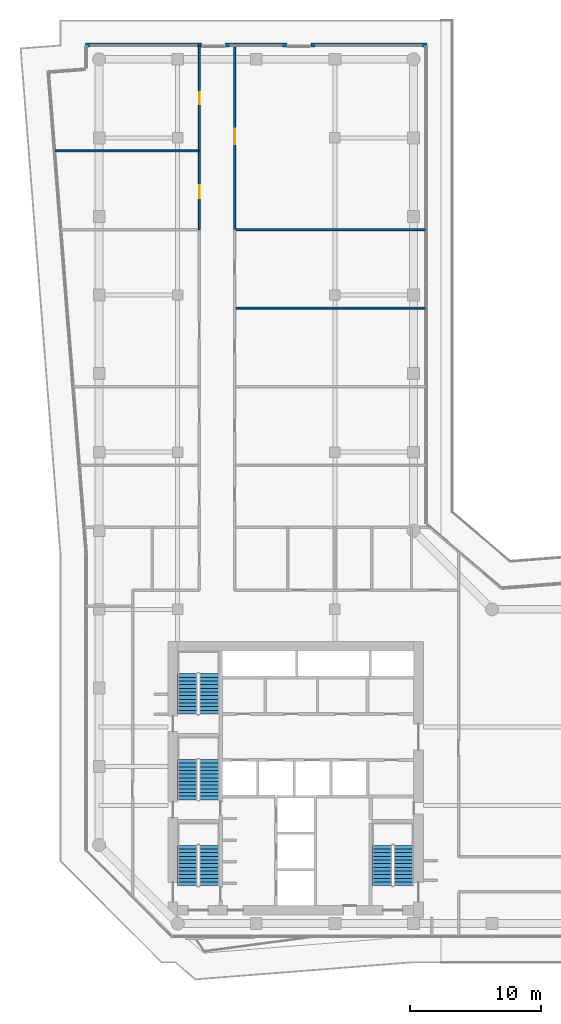
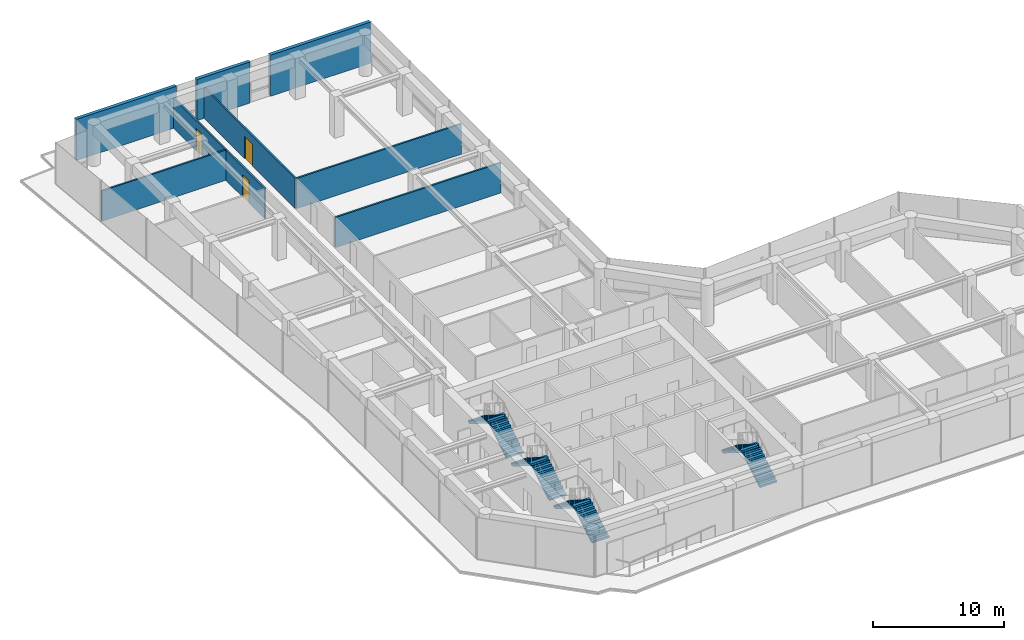
# One storey, part 23 of 25: 9 walls, 8 stair flights, 3 doors, 3 openings, 4 elements without a shape of their own.
"""IFC4 building model written with IfcOpenShell, lengths in metres."""

import ifcopenshell
import ifcopenshell.guid

model = None  # the IFC model being written
_history = None  # IfcOwnerHistory: only IFC2X3 demands one
_inside = {}  # id of a spatial element -> (the spatial element, [elements in it])
_under = {}  # id of a project, library or spatial element -> (it, [spatial elements below it])
_declared = {}  # id of a project -> (the project, [libraries it declares])
_typed = {}  # id of a type object -> (the type object, [elements of that type])
_made_of = {}  # id of a material, layer set ... -> (it, [elements and type objects made of it])


def new_model(schema):
    """Start an empty IFC model of exactly this schema.

    Asked for "IFC4X3", IfcOpenShell would pick the latest addendum, in which some entities
    have other attributes; the version numbers below select the first issue.
    IFC2X3 requires an IfcOwnerHistory on every rooted entity: one is made here for all.
    """
    global model, _history
    if schema == "IFC4X3":
        model = ifcopenshell.file(schema_version=(4, 3, 0, 0))
    else:
        model = ifcopenshell.file(schema=schema)
    _inside.clear()
    _under.clear()
    _declared.clear()
    _typed.clear()
    _made_of.clear()
    _history = None
    if model.schema == "IFC2X3":
        org = make("IfcOrganization", Name="unknown")
        user = make(
            "IfcPersonAndOrganization",
            ThePerson=make("IfcPerson", FamilyName="unknown"),
            TheOrganization=org,
        )
        app = make(
            "IfcApplication",
            ApplicationDeveloper=org,
            Version="unknown",
            ApplicationFullName="unknown",
            ApplicationIdentifier="unknown",
        )
        _history = make(
            "IfcOwnerHistory",
            OwningUser=user,
            OwningApplication=app,
            ChangeAction="ADDED",
            CreationDate=0,
        )
    return model


def make(cls, **values):
    """One entity of the class cls with the attributes given. An attribute that is None is left unset."""
    return model.create_entity(
        cls, **{name: value for name, value in values.items() if value is not None}
    )


def rooted(cls, **values):
    """An entity with a GlobalId (a new one), such as an element, a storey or a relation."""
    return make(cls, GlobalId=ifcopenshell.guid.new(), OwnerHistory=_history, **values)


def si_unit(unit_type, name, prefix=None):
    """IfcSIUnit, for example si_unit("LENGTHUNIT", "METRE", prefix="MILLI")."""
    return make("IfcSIUnit", UnitType=unit_type, Prefix=prefix, Name=name)


def assignment(units):
    """IfcUnitAssignment: the units of a project."""
    return None if units is None else make("IfcUnitAssignment", Units=units)


def point(xyz):
    """IfcCartesianPoint."""
    return None if xyz is None else make("IfcCartesianPoint", Coordinates=xyz)


def direction(xyz):
    """IfcDirection."""
    return None if xyz is None else make("IfcDirection", DirectionRatios=xyz)


def frame(location, z_axis=None, x_axis=None):
    """IfcAxis2Placement3D, a coordinate frame: its origin and axes. An axis left out is left unset."""
    return make(
        "IfcAxis2Placement3D",
        Location=point(location),
        Axis=direction(z_axis),
        RefDirection=direction(x_axis),
    )


def frame_2d(location, x_axis=None):
    """IfcAxis2Placement2D, a coordinate frame in the plane: its origin and x axis."""
    return make(
        "IfcAxis2Placement2D", Location=point(location), RefDirection=direction(x_axis)
    )


def origin():
    """The frame at (0, 0, 0) with its axes left unset."""
    return frame((0.0, 0.0, 0.0))


def place(relative_to, where):
    """IfcLocalPlacement: puts the frame where relative to a parent placement (None: the world)."""
    return make(
        "IfcLocalPlacement", PlacementRelTo=relative_to, RelativePlacement=where
    )


def context(
    kind, dimensions, precision=None, world=None, true_north=None, identifier=None
):
    """IfcGeometricRepresentationContext, for example the 3D "Model" context."""
    return make(
        "IfcGeometricRepresentationContext",
        ContextIdentifier=identifier,
        ContextType=kind,
        CoordinateSpaceDimension=dimensions,
        Precision=precision,
        WorldCoordinateSystem=world,
        TrueNorth=true_north,
    )


def subcontext(parent, identifier, kind, view, scale=None):
    """IfcGeometricRepresentationSubContext, for example "Body" below "Model"."""
    return make(
        "IfcGeometricRepresentationSubContext",
        ContextIdentifier=identifier,
        ContextType=kind,
        ParentContext=parent,
        TargetScale=scale,
        TargetView=view,
    )


def project(units=None, contexts=None):
    """IfcProject with its units and contexts."""
    return rooted(
        "IfcProject",
        Name="project",
        RepresentationContexts=contexts,
        UnitsInContext=assignment(units),
    )


def spatial(cls, under=None, at=None, **own):
    """A site, building, storey or space (cls), placed at a placement, below another one or the project."""
    s = rooted(cls, ObjectPlacement=at, **own)
    if under is not None:
        _under.setdefault(under.id(), (under, []))[1].append(s)
    return s


def polyline(points):
    """IfcPolyline through the points."""
    return make("IfcPolyline", Points=[point(p) for p in points])


def profile(cls, at=None, kind="AREA", **sizes):
    """A parametric profile (cls). Its sizes go by their IFC names, for example OverallWidth=200.0."""
    return make(cls, ProfileType=kind, Position=at, **sizes)


def rectangle(**sizes):
    """IfcRectangleProfileDef."""
    return profile("IfcRectangleProfileDef", **sizes)


def outline(outer, holes=None, kind="AREA"):
    """IfcArbitraryClosedProfileDef: a profile drawn as a closed curve; with holes, ...WithVoids."""
    if holes is None:
        return make("IfcArbitraryClosedProfileDef", ProfileType=kind, OuterCurve=outer)
    return make(
        "IfcArbitraryProfileDefWithVoids",
        ProfileType=kind,
        OuterCurve=outer,
        InnerCurves=holes,
    )


def extrude(swept, where, along, depth):
    """IfcExtrudedAreaSolid: the profile swept, set in the frame where, extruded along a direction by depth."""
    return make(
        "IfcExtrudedAreaSolid",
        SweptArea=swept,
        Position=where,
        ExtrudedDirection=direction(along),
        Depth=depth,
    )


def shape(context_of_items, identifier, shape_type, items):
    """IfcShapeRepresentation: the items that make up one representation, for example the "Body"."""
    return make(
        "IfcShapeRepresentation",
        ContextOfItems=context_of_items,
        RepresentationIdentifier=identifier,
        RepresentationType=shape_type,
        Items=items,
    )


def material(Name=None, Category=None):
    """IfcMaterial."""
    return make("IfcMaterial", Name=Name, Category=Category)


def layer(
    of_material, thickness, ventilated=None, Name=None, Category=None, Priority=None
):
    """IfcMaterialLayer: one layer of a wall or slab, of a material (None: an air gap)."""
    return make(
        "IfcMaterialLayer",
        Material=of_material,
        LayerThickness=thickness,
        IsVentilated=ventilated,
        Name=Name,
        Category=Category,
        Priority=Priority,
    )


def layer_set(layers, Name=None):
    """IfcMaterialLayerSet."""
    return make("IfcMaterialLayerSet", MaterialLayers=layers, LayerSetName=Name)


def made_of(thing, what):
    """Note that an element or type object is made of a material, layer set ...; save() writes the relation."""
    if what is not None:
        _made_of.setdefault(what.id(), (what, []))[1].append(thing)
    return thing


def type_object(cls, material=None, **own):
    """A type object (cls), such as IfcWallType, which elements share."""
    return made_of(rooted(cls, **own), material)


def element(
    cls,
    number,
    at=None,
    inside=None,
    cuts=None,
    type_object=None,
    material=None,
    context=None,
    identifier="Body",
    shape_type=None,
    held_by="IfcProductDefinitionShape",
    body=None,
    shapes=None,
    **own,
):
    """One element of the class cls, such as IfcWall. Its Tag is "e" and its number.

    at: its placement. inside: the storey or other place that contains it. cuts: it is an
    opening in that element (IfcRelVoidsElement). A single representation is given by context,
    identifier, shape_type and body (its items); several are given by shapes. held_by: the class
    of the entity that holds the representations. save() writes the other relations.
    """
    e = rooted(cls, Tag="e%d" % number, ObjectPlacement=at, **own)
    if body is not None:
        shapes = [shape(context, identifier, shape_type, body)]
    if shapes is not None:
        e.Representation = make(held_by, Representations=shapes)
    if inside is not None:
        _inside.setdefault(inside.id(), (inside, []))[1].append(e)
    if cuts is not None:
        rooted(
            "IfcRelVoidsElement", RelatingBuildingElement=cuts, RelatedOpeningElement=e
        )
    if type_object is not None:
        _typed.setdefault(type_object.id(), (type_object, []))[1].append(e)
    return made_of(e, material)


def fill(opening, filler):
    """IfcRelFillsElement: the door or window that sits in an opening."""
    return rooted(
        "IfcRelFillsElement",
        RelatingOpeningElement=opening,
        RelatedBuildingElement=filler,
    )


def aggregate(whole, parts):
    """IfcRelAggregates: a whole, such as a stair, and the parts it consists of."""
    return rooted("IfcRelAggregates", RelatingObject=whole, RelatedObjects=parts)


def save(model, path):
    """Write the relations noted so far, then the file.

    IfcRelAggregates (storeys below a building ...), IfcRelContainedInSpatialStructure (elements
    in a storey), IfcRelDefinesByType, IfcRelAssociatesMaterial and IfcRelDeclares: one each for
    every whole, place, type object, material and project.
    """
    for whole, parts in _under.values():
        aggregate(whole, parts)
    for where, things in _inside.values():
        rooted(
            "IfcRelContainedInSpatialStructure",
            RelatedElements=things,
            RelatingStructure=where,
        )
    for kind, things in _typed.values():
        rooted("IfcRelDefinesByType", RelatedObjects=things, RelatingType=kind)
    for what, things in _made_of.values():
        rooted("IfcRelAssociatesMaterial", RelatedObjects=things, RelatingMaterial=what)
    for by, libraries in _declared.values():
        rooted("IfcRelDeclares", RelatingContext=by, RelatedDefinitions=libraries)
    model.write(path)


model = new_model("IFC4")

# Units and contexts
model_context = context("Model", 3, precision=1e-05, world=origin(), true_north=direction((0.0, 1.0)))
body_context = subcontext(model_context, "Body", "Model", "MODEL_VIEW")
ifc_project = project(units=[si_unit("LENGTHUNIT", "METRE"), si_unit("AREAUNIT", "SQUARE_METRE"), si_unit("VOLUMEUNIT", "CUBIC_METRE"), si_unit("PLANEANGLEUNIT", "RADIAN"), si_unit("MASSUNIT", "GRAM", prefix="KILO")], contexts=[model_context])

# Site, building, storey
site_placement = place(None, origin())
site = spatial("IfcSite", under=ifc_project, at=site_placement, CompositionType="ELEMENT")
building_placement = place(site_placement, origin())
building = spatial("IfcBuilding", under=site, at=building_placement, Name="Welwitschia Terrace Campus", CompositionType="ELEMENT")
storey_placement = place(building_placement, frame((0.0, 0.0, 92.0)))
storey = spatial("IfcBuildingStorey", under=building, at=storey_placement, Name="L20", CompositionType="ELEMENT", Elevation=92.0)

# Wall
ifc_material_1 = material(Name="Gypsum board on steel studs", Category="steel")
ifc_layer_1 = layer(ifc_material_1, 0.14990234375)
ifc_layer_set_1 = layer_set([ifc_layer_1], Name="Gypsum board on steel studs")
wall_type_1 = type_object("IfcWallType", Name="Corridor partition 150 EI 30", PredefinedType="PARTITIONING", material=ifc_layer_set_1)
wall_1_placement = place(storey_placement, frame((-3.37890625, 63.0, 0.0), z_axis=(0.0, 0.0, 1.0), x_axis=(1.0, 0.0, 0.0)))
element("IfcWall", 1, at=wall_1_placement, inside=storey, type_object=wall_type_1, Name="Partition", PredefinedType="PARTITIONING", context=body_context, shape_type="SweptSolid", body=[
    extrude(rectangle(XDim=11.02880859375, YDim=0.14990234375, at=frame_2d((5.514404296875, 0.0))), origin(), (0.0, 0.0, 1.0), 2.830078125),
])

# Wall, opening, door
wall_2_placement = place(storey_placement, frame((7.64990234375, 57.0, 0.0), z_axis=(0.0, 0.0, 1.0), x_axis=(0.0, 1.0, 0.0)))
wall_2 = element("IfcWall", 2, at=wall_2_placement, inside=storey, type_object=wall_type_1, Name="Partition", PredefinedType="PARTITIONING", context=body_context, shape_type="SweptSolid", body=[
    extrude(rectangle(XDim=6.0, YDim=0.14990234375, at=frame_2d((3.0, 0.0))), origin(), (0.0, 0.0, 1.0), 2.830078125),
])
opening_1_placement = place(wall_2_placement, frame((2.39990234375, 0.0, 0.0)))
opening_1 = element("IfcOpeningElement", 3, at=opening_1_placement, cuts=wall_2, Name="Opening DI10", PredefinedType="OPENING", context=body_context, shape_type="SweptSolid", body=[
    extrude(rectangle(XDim=1.0, YDim=2.10009765625, at=frame_2d((0.5, 1.050048828125))), frame((0.0, 0.0849609375, 0.0), z_axis=(0.0, -1.0, 0.0), x_axis=(1.0, 0.0, 0.0)), (0.0, 0.0, 1.0), 0.169921875),
])
ifc_material_2 = material(Name="Timber veneered door", Category="wood")
door_type_1 = type_object("IfcDoorType", Name="Interior door DI10", OperationType="NOTDEFINED", PredefinedType="DOOR", material=ifc_material_2)
door_1_placement = place(opening_1_placement, origin())
door_1 = element("IfcDoor", 4, at=door_1_placement, inside=storey, type_object=door_type_1, Name="Door L20 444", OperationType="SINGLE_SWING_LEFT", OverallHeight=2.10009765625, OverallWidth=1.0, PredefinedType="DOOR", context=body_context, shape_type="SweptSolid", body=[
    extrude(rectangle(XDim=1.0, YDim=2.10009765625, at=frame_2d((0.5, 1.050048828125))), frame((0.0, 0.02490234375, 0.0), z_axis=(0.0, -1.0, 0.0), x_axis=(1.0, 0.0, 0.0)), (0.0, 0.0, 1.0), 0.050048828125),
])
fill(opening_1, door_1)

wall_3_placement = place(storey_placement, frame((7.64990234375, 63.0, 0.0), z_axis=(0.0, 0.0, 1.0), x_axis=(0.0, 1.0, 0.0)))
wall_3 = element("IfcWall", 5, at=wall_3_placement, inside=storey, type_object=wall_type_1, Name="Partition", PredefinedType="PARTITIONING", context=body_context, shape_type="SweptSolid", body=[
    extrude(rectangle(XDim=8.090087890625, YDim=0.14990234375, at=frame_2d((4.044921875, 0.0))), origin(), (0.0, 0.0, 1.0), 2.830078125),
])
opening_2_placement = place(wall_3_placement, frame((3.580078125, 0.0, 0.0)))
opening_2 = element("IfcOpeningElement", 6, at=opening_2_placement, cuts=wall_3, Name="Opening DI09", PredefinedType="OPENING", context=body_context, shape_type="SweptSolid", body=[
    extrude(rectangle(XDim=0.89990234375, YDim=2.10009765625, at=frame_2d((0.449951171875, 1.050048828125))), frame((0.0, 0.0849609375, 0.0), z_axis=(0.0, -1.0, 0.0), x_axis=(1.0, 0.0, 0.0)), (0.0, 0.0, 1.0), 0.169921875),
])
ifc_material_3 = material(Name="Timber veneered door", Category="wood")
door_type_2 = type_object("IfcDoorType", Name="Interior door DI09", OperationType="NOTDEFINED", PredefinedType="DOOR", material=ifc_material_3)
door_2_placement = place(opening_2_placement, origin())
door_2 = element("IfcDoor", 7, at=door_2_placement, inside=storey, type_object=door_type_2, Name="Door L20 445", OperationType="SINGLE_SWING_RIGHT", OverallHeight=2.10009765625, OverallWidth=0.89990234375, PredefinedType="DOOR", context=body_context, shape_type="SweptSolid", body=[
    extrude(rectangle(XDim=0.89990234375, YDim=2.10009765625, at=frame_2d((0.449951171875, 1.050048828125))), frame((0.0, 0.02490234375, 0.0), z_axis=(0.0, -1.0, 0.0), x_axis=(1.0, 0.0, 0.0)), (0.0, 0.0, 1.0), 0.050048828125),
])
fill(opening_2, door_2)

# Walls
for number, where, z_axis, x_axis, name in (
    (8, (10.35009765625, 51.0, 0.0), (0.0, 0.0, 1.0), (1.0, 0.0, 0.0), "Partition"),
    (9, (10.35009765625, 57.0, 0.0), (0.0, 0.0, 1.0), (1.0, 0.0, 0.0), "Partition"),
):
    element("IfcWall", number, at=place(storey_placement, frame(where, z_axis=z_axis, x_axis=x_axis)), inside=storey, type_object=wall_type_1, Name=name, PredefinedType="PARTITIONING", context=body_context, shape_type="SweptSolid", body=[
        extrude(rectangle(XDim=14.6298828125, YDim=0.14990234375, at=frame_2d((7.31494140625, 0.0))), origin(), (0.0, 0.0, 1.0), 2.830078125),
    ])

# Wall, opening, door
wall_4_placement = place(storey_placement, frame((10.35009765625, 71.090087890625, 0.0), z_axis=(0.0, 0.0, 1.0), x_axis=(0.0, -1.0, 0.0)))
wall_4 = element("IfcWall", 10, at=wall_4_placement, inside=storey, type_object=wall_type_1, Name="Partition", PredefinedType="PARTITIONING", context=body_context, shape_type="SweptSolid", body=[
    extrude(rectangle(XDim=14.090087890625, YDim=0.14990234375, at=frame_2d((7.044921875, 0.0))), origin(), (0.0, 0.0, 1.0), 2.830078125),
])
opening_3_placement = place(wall_4_placement, frame((6.389892578125, 0.0, 0.0)))
opening_3 = element("IfcOpeningElement", 11, at=opening_3_placement, cuts=wall_4, Name="Opening DI12", PredefinedType="OPENING", context=body_context, shape_type="SweptSolid", body=[
    extrude(rectangle(XDim=1.199951171875, YDim=2.10009765625, at=frame_2d((0.60009765625, 1.050048828125))), frame((0.0, 0.0849609375, 0.0), z_axis=(0.0, -1.0, 0.0), x_axis=(1.0, 0.0, 0.0)), (0.0, 0.0, 1.0), 0.169921875),
])
ifc_material_4 = material(Name="Timber veneered door", Category="wood")
door_type_3 = type_object("IfcDoorType", Name="Interior door DI12", OperationType="NOTDEFINED", PredefinedType="DOOR", material=ifc_material_4)
door_3_placement = place(opening_3_placement, origin())
door_3 = element("IfcDoor", 12, at=door_3_placement, inside=storey, type_object=door_type_3, Name="Door L20 450", OperationType="SINGLE_SWING_LEFT", OverallHeight=2.10009765625, OverallWidth=1.199951171875, PredefinedType="DOOR", context=body_context, shape_type="SweptSolid", body=[
    extrude(rectangle(XDim=1.199951171875, YDim=2.10009765625, at=frame_2d((0.60009765625, 1.050048828125))), frame((0.0, 0.02490234375, 0.0), z_axis=(0.0, -1.0, 0.0), x_axis=(1.0, 0.0, 0.0)), (0.0, 0.0, 1.0), 0.050048828125),
])
fill(opening_3, door_3)

# Walls
ifc_material_5 = material(Name="Concrete C40/50", Category="concrete")
ifc_layer_2 = layer(ifc_material_5, 0.300048828125)
ifc_layer_set_2 = layer_set([ifc_layer_2], Name="Concrete C40/50")
wall_type_2 = type_object("IfcWallType", Name="Mass wall 300", PredefinedType="SOLIDWALL", material=ifc_layer_set_2)
wall_5_placement = place(storey_placement, frame((25.030029296875, 71.078125, 0.0), z_axis=(0.0, 0.0, 1.0), x_axis=(-1.0, 0.0, 0.0)))
element("IfcWall", 13, at=wall_5_placement, inside=storey, type_object=wall_type_2, Name="Mass wall L20.11.0", PredefinedType="SOLIDWALL", context=body_context, shape_type="SweptSolid", body=[
    extrude(rectangle(XDim=8.87255859375, YDim=0.300048828125, at=frame_2d((4.436279296875, 0.0))), origin(), (0.0, 0.0, 1.0), 3.85009765625),
])
wall_6_placement = place(storey_placement, frame((14.357421875, 71.080078125, 0.0), z_axis=(0.0, 0.0, 1.0), x_axis=(-1.0, 0.0, 0.0)))
element("IfcWall", 14, at=wall_6_placement, inside=storey, type_object=wall_type_2, Name="Mass wall L20.11.1", PredefinedType="SOLIDWALL", context=body_context, shape_type="SweptSolid", body=[
    extrude(rectangle(XDim=4.71484375, YDim=0.300048828125, at=frame_2d((2.357421875, 0.0))), origin(), (0.0, 0.0, 1.0), 3.85009765625),
])
wall_7_placement = place(storey_placement, frame((7.842529296875, 71.078125, 0.0), z_axis=(0.0, 0.0, 1.0), x_axis=(-1.0, 0.0, 0.0)))
element("IfcWall", 15, at=wall_7_placement, inside=storey, type_object=wall_type_2, Name="Mass wall L20.11.2", PredefinedType="SOLIDWALL", context=body_context, shape_type="SweptSolid", body=[
    extrude(rectangle(XDim=8.87255859375, YDim=0.300048828125, at=frame_2d((4.436279296875, 0.0))), origin(), (0.0, 0.0, 1.0), 3.85009765625),
])

# Stair, stair flights
ifc_material_6 = material(Name="Concrete C40/50", Category="concrete")
stair_type = type_object("IfcStairType", Name="Stair 24R 175 W1500", PredefinedType="HALF_TURN_STAIR", material=ifc_material_6)
stair_1_placement = place(storey_placement, origin())
stair_1 = element("IfcStair", 16, at=stair_1_placement, inside=storey, type_object=stair_type, Name="L20 Exit stair S1", PredefinedType="HALF_TURN_STAIR")
ifc_material_7 = material(Name="Concrete C40/50", Category="concrete")
stair_flight_type = type_object("IfcStairFlightType", Name="Stair flight 24R 175 W1500", PredefinedType="STRAIGHT", material=ifc_material_7)
stair_flight_1_placement = place(storey_placement, frame((8.39990234375, 6.89990234375, 0.0), z_axis=(0.0, 0.0, 1.0), x_axis=(0.0, 1.0, 0.0)))
stair_flight_1 = element("IfcStairFlight", 17, at=stair_flight_1_placement, type_object=stair_flight_type, Name="S1 flight 1", NumberOfRisers=12, NumberOfTreads=11, PredefinedType="STRAIGHT", RiserHeight=0.175, TreadLength=0.28, context=body_context, shape_type="SweptSolid", body=[
    extrude(outline(polyline([(0.0, 0.0), (0.0, 0.175048828125), (0.280029296875, 0.175048828125), (0.280029296875, 0.35009765625), (0.56005859375, 0.35009765625), (0.56005859375, 0.52490234375), (0.840087890625, 0.52490234375), (0.840087890625, 0.699951171875), (1.1201171875, 0.699951171875), (1.1201171875, 0.875), (1.39990234375, 0.875), (1.39990234375, 1.050048828125), (1.679931640625, 1.050048828125), (1.679931640625, 1.22509765625), (1.9599609375, 1.22509765625), (1.9599609375, 1.39990234375), (2.239990234375, 1.39990234375), (2.239990234375, 1.574951171875), (2.52001953125, 1.574951171875), (2.52001953125, 1.75), (2.800048828125, 1.75), (2.800048828125, 1.925048828125), (3.080078125, 1.925048828125), (3.080078125, 2.10009765625), (3.080078125, 1.748291015625), (0.28271484375, 0.0), (0.0, 0.0)])), frame((0.0, 0.75, 0.0), z_axis=(0.0, -1.0, 0.0), x_axis=(1.0, 0.0, 0.0)), (0.0, 0.0, 1.0), 1.5),
])
stair_flight_2_placement = place(storey_placement, frame((6.75, 9.97998046875, 2.10009765625), z_axis=(0.0, 0.0, 1.0), x_axis=(0.0, -1.0, 0.0)))
stair_flight_2 = element("IfcStairFlight", 18, at=stair_flight_2_placement, type_object=stair_flight_type, Name="S1 flight 2", NumberOfRisers=12, NumberOfTreads=11, PredefinedType="STRAIGHT", RiserHeight=0.175, TreadLength=0.28, context=body_context, shape_type="SweptSolid", body=[
    extrude(outline(polyline([(0.0, 0.0), (0.0, 0.175048828125), (0.280029296875, 0.175048828125), (0.280029296875, 0.35009765625), (0.56005859375, 0.35009765625), (0.56005859375, 0.52490234375), (0.840087890625, 0.52490234375), (0.840087890625, 0.699951171875), (1.1201171875, 0.699951171875), (1.1201171875, 0.875), (1.39990234375, 0.875), (1.39990234375, 1.050048828125), (1.679931640625, 1.050048828125), (1.679931640625, 1.22509765625), (1.9599609375, 1.22509765625), (1.9599609375, 1.39990234375), (2.239990234375, 1.39990234375), (2.239990234375, 1.574951171875), (2.52001953125, 1.574951171875), (2.52001953125, 1.75), (2.800048828125, 1.75), (2.800048828125, 1.925048828125), (3.080078125, 1.925048828125), (3.080078125, 2.10009765625), (3.080078125, 1.748291015625), (0.28271484375, 0.0), (0.0, 0.0)])), frame((0.0, 0.75, 0.0), z_axis=(0.0, -1.0, 0.0), x_axis=(1.0, 0.0, 0.0)), (0.0, 0.0, 1.0), 1.5),
])
aggregate(stair_1, [stair_flight_1, stair_flight_2])

stair_2_placement = place(storey_placement, origin())
stair_2 = element("IfcStair", 19, at=stair_2_placement, inside=storey, type_object=stair_type, Name="L20 Exit stair S3", PredefinedType="HALF_TURN_STAIR")
stair_flight_3_placement = place(storey_placement, frame((8.39990234375, 13.449951171875, 0.0), z_axis=(0.0, 0.0, 1.0), x_axis=(0.0, 1.0, 0.0)))
stair_flight_3 = element("IfcStairFlight", 20, at=stair_flight_3_placement, type_object=stair_flight_type, Name="S3 flight 1", NumberOfRisers=12, NumberOfTreads=11, PredefinedType="STRAIGHT", RiserHeight=0.175, TreadLength=0.28, context=body_context, shape_type="SweptSolid", body=[
    extrude(outline(polyline([(0.0, 0.0), (0.0, 0.175048828125), (0.280029296875, 0.175048828125), (0.280029296875, 0.35009765625), (0.56005859375, 0.35009765625), (0.56005859375, 0.52490234375), (0.840087890625, 0.52490234375), (0.840087890625, 0.699951171875), (1.1201171875, 0.699951171875), (1.1201171875, 0.875), (1.39990234375, 0.875), (1.39990234375, 1.050048828125), (1.679931640625, 1.050048828125), (1.679931640625, 1.22509765625), (1.9599609375, 1.22509765625), (1.9599609375, 1.39990234375), (2.239990234375, 1.39990234375), (2.239990234375, 1.574951171875), (2.52001953125, 1.574951171875), (2.52001953125, 1.75), (2.800048828125, 1.75), (2.800048828125, 1.925048828125), (3.080078125, 1.925048828125), (3.080078125, 2.10009765625), (3.080078125, 1.748291015625), (0.28271484375, 0.0), (0.0, 0.0)])), frame((0.0, 0.75, 0.0), z_axis=(0.0, -1.0, 0.0), x_axis=(1.0, 0.0, 0.0)), (0.0, 0.0, 1.0), 1.5),
])
stair_flight_4_placement = place(storey_placement, frame((6.75, 16.530029296875, 2.10009765625), z_axis=(0.0, 0.0, 1.0), x_axis=(0.0, -1.0, 0.0)))
stair_flight_4 = element("IfcStairFlight", 21, at=stair_flight_4_placement, type_object=stair_flight_type, Name="S3 flight 2", NumberOfRisers=12, NumberOfTreads=11, PredefinedType="STRAIGHT", RiserHeight=0.175, TreadLength=0.28, context=body_context, shape_type="SweptSolid", body=[
    extrude(outline(polyline([(0.0, 0.0), (0.0, 0.175048828125), (0.280029296875, 0.175048828125), (0.280029296875, 0.35009765625), (0.56005859375, 0.35009765625), (0.56005859375, 0.52490234375), (0.840087890625, 0.52490234375), (0.840087890625, 0.699951171875), (1.1201171875, 0.699951171875), (1.1201171875, 0.875), (1.39990234375, 0.875), (1.39990234375, 1.050048828125), (1.679931640625, 1.050048828125), (1.679931640625, 1.22509765625), (1.9599609375, 1.22509765625), (1.9599609375, 1.39990234375), (2.239990234375, 1.39990234375), (2.239990234375, 1.574951171875), (2.52001953125, 1.574951171875), (2.52001953125, 1.75), (2.800048828125, 1.75), (2.800048828125, 1.925048828125), (3.080078125, 1.925048828125), (3.080078125, 2.10009765625), (3.080078125, 1.748291015625), (0.28271484375, 0.0), (0.0, 0.0)])), frame((0.0, 0.75, 0.0), z_axis=(0.0, -1.0, 0.0), x_axis=(1.0, 0.0, 0.0)), (0.0, 0.0, 1.0), 1.5),
])
aggregate(stair_2, [stair_flight_3, stair_flight_4])

stair_3_placement = place(storey_placement, origin())
stair_3 = element("IfcStair", 22, at=stair_3_placement, inside=storey, type_object=stair_type, Name="L20 Exit stair S4", PredefinedType="HALF_TURN_STAIR")
stair_flight_5_placement = place(storey_placement, frame((8.39990234375, 20.0, 0.0), z_axis=(0.0, 0.0, 1.0), x_axis=(0.0, 1.0, 0.0)))
stair_flight_5 = element("IfcStairFlight", 23, at=stair_flight_5_placement, type_object=stair_flight_type, Name="S4 flight 1", NumberOfRisers=12, NumberOfTreads=11, PredefinedType="STRAIGHT", RiserHeight=0.175, TreadLength=0.28, context=body_context, shape_type="SweptSolid", body=[
    extrude(outline(polyline([(0.0, 0.0), (0.0, 0.175048828125), (0.280029296875, 0.175048828125), (0.280029296875, 0.35009765625), (0.56005859375, 0.35009765625), (0.56005859375, 0.52490234375), (0.840087890625, 0.52490234375), (0.840087890625, 0.699951171875), (1.1201171875, 0.699951171875), (1.1201171875, 0.875), (1.39990234375, 0.875), (1.39990234375, 1.050048828125), (1.679931640625, 1.050048828125), (1.679931640625, 1.22509765625), (1.9599609375, 1.22509765625), (1.9599609375, 1.39990234375), (2.239990234375, 1.39990234375), (2.239990234375, 1.574951171875), (2.52001953125, 1.574951171875), (2.52001953125, 1.75), (2.800048828125, 1.75), (2.800048828125, 1.925048828125), (3.080078125, 1.925048828125), (3.080078125, 2.10009765625), (3.080078125, 1.748291015625), (0.28271484375, 0.0), (0.0, 0.0)])), frame((0.0, 0.75, 0.0), z_axis=(0.0, -1.0, 0.0), x_axis=(1.0, 0.0, 0.0)), (0.0, 0.0, 1.0), 1.5),
])
stair_flight_6_placement = place(storey_placement, frame((6.75, 23.080078125, 2.10009765625), z_axis=(0.0, 0.0, 1.0), x_axis=(0.0, -1.0, 0.0)))
stair_flight_6 = element("IfcStairFlight", 24, at=stair_flight_6_placement, type_object=stair_flight_type, Name="S4 flight 2", NumberOfRisers=12, NumberOfTreads=11, PredefinedType="STRAIGHT", RiserHeight=0.175, TreadLength=0.28, context=body_context, shape_type="SweptSolid", body=[
    extrude(outline(polyline([(0.0, 0.0), (0.0, 0.175048828125), (0.280029296875, 0.175048828125), (0.280029296875, 0.35009765625), (0.56005859375, 0.35009765625), (0.56005859375, 0.52490234375), (0.840087890625, 0.52490234375), (0.840087890625, 0.699951171875), (1.1201171875, 0.699951171875), (1.1201171875, 0.875), (1.39990234375, 0.875), (1.39990234375, 1.050048828125), (1.679931640625, 1.050048828125), (1.679931640625, 1.22509765625), (1.9599609375, 1.22509765625), (1.9599609375, 1.39990234375), (2.239990234375, 1.39990234375), (2.239990234375, 1.574951171875), (2.52001953125, 1.574951171875), (2.52001953125, 1.75), (2.800048828125, 1.75), (2.800048828125, 1.925048828125), (3.080078125, 1.925048828125), (3.080078125, 2.10009765625), (3.080078125, 1.748291015625), (0.28271484375, 0.0), (0.0, 0.0)])), frame((0.0, 0.75, 0.0), z_axis=(0.0, -1.0, 0.0), x_axis=(1.0, 0.0, 0.0)), (0.0, 0.0, 1.0), 1.5),
])
aggregate(stair_3, [stair_flight_5, stair_flight_6])

stair_4_placement = place(storey_placement, origin())
stair_4 = element("IfcStair", 25, at=stair_4_placement, inside=storey, type_object=stair_type, Name="L20 Exit stair S2", PredefinedType="HALF_TURN_STAIR")
stair_flight_7_placement = place(storey_placement, frame((23.25, 6.89990234375, 0.0), z_axis=(0.0, 0.0, 1.0), x_axis=(0.0, 1.0, 0.0)))
stair_flight_7 = element("IfcStairFlight", 26, at=stair_flight_7_placement, type_object=stair_flight_type, Name="S2 flight 1", NumberOfRisers=12, NumberOfTreads=11, PredefinedType="STRAIGHT", RiserHeight=0.175, TreadLength=0.28, context=body_context, shape_type="SweptSolid", body=[
    extrude(outline(polyline([(0.0, 0.0), (0.0, 0.175048828125), (0.280029296875, 0.175048828125), (0.280029296875, 0.35009765625), (0.56005859375, 0.35009765625), (0.56005859375, 0.52490234375), (0.840087890625, 0.52490234375), (0.840087890625, 0.699951171875), (1.1201171875, 0.699951171875), (1.1201171875, 0.875), (1.39990234375, 0.875), (1.39990234375, 1.050048828125), (1.679931640625, 1.050048828125), (1.679931640625, 1.22509765625), (1.9599609375, 1.22509765625), (1.9599609375, 1.39990234375), (2.239990234375, 1.39990234375), (2.239990234375, 1.574951171875), (2.52001953125, 1.574951171875), (2.52001953125, 1.75), (2.800048828125, 1.75), (2.800048828125, 1.925048828125), (3.080078125, 1.925048828125), (3.080078125, 2.10009765625), (3.080078125, 1.748291015625), (0.28271484375, 0.0), (0.0, 0.0)])), frame((0.0, 0.75, 0.0), z_axis=(0.0, -1.0, 0.0), x_axis=(1.0, 0.0, 0.0)), (0.0, 0.0, 1.0), 1.5),
])
stair_flight_8_placement = place(storey_placement, frame((21.60009765625, 9.97998046875, 2.10009765625), z_axis=(0.0, 0.0, 1.0), x_axis=(0.0, -1.0, 0.0)))
stair_flight_8 = element("IfcStairFlight", 27, at=stair_flight_8_placement, type_object=stair_flight_type, Name="S2 flight 2", NumberOfRisers=12, NumberOfTreads=11, PredefinedType="STRAIGHT", RiserHeight=0.175, TreadLength=0.28, context=body_context, shape_type="SweptSolid", body=[
    extrude(outline(polyline([(0.0, 0.0), (0.0, 0.175048828125), (0.280029296875, 0.175048828125), (0.280029296875, 0.35009765625), (0.56005859375, 0.35009765625), (0.56005859375, 0.52490234375), (0.840087890625, 0.52490234375), (0.840087890625, 0.699951171875), (1.1201171875, 0.699951171875), (1.1201171875, 0.875), (1.39990234375, 0.875), (1.39990234375, 1.050048828125), (1.679931640625, 1.050048828125), (1.679931640625, 1.22509765625), (1.9599609375, 1.22509765625), (1.9599609375, 1.39990234375), (2.239990234375, 1.39990234375), (2.239990234375, 1.574951171875), (2.52001953125, 1.574951171875), (2.52001953125, 1.75), (2.800048828125, 1.75), (2.800048828125, 1.925048828125), (3.080078125, 1.925048828125), (3.080078125, 2.10009765625), (3.080078125, 1.748291015625), (0.28271484375, 0.0), (0.0, 0.0)])), frame((0.0, 0.75, 0.0), z_axis=(0.0, -1.0, 0.0), x_axis=(1.0, 0.0, 0.0)), (0.0, 0.0, 1.0), 1.5),
])
aggregate(stair_4, [stair_flight_7, stair_flight_8])

save(model, "model.ifc")
